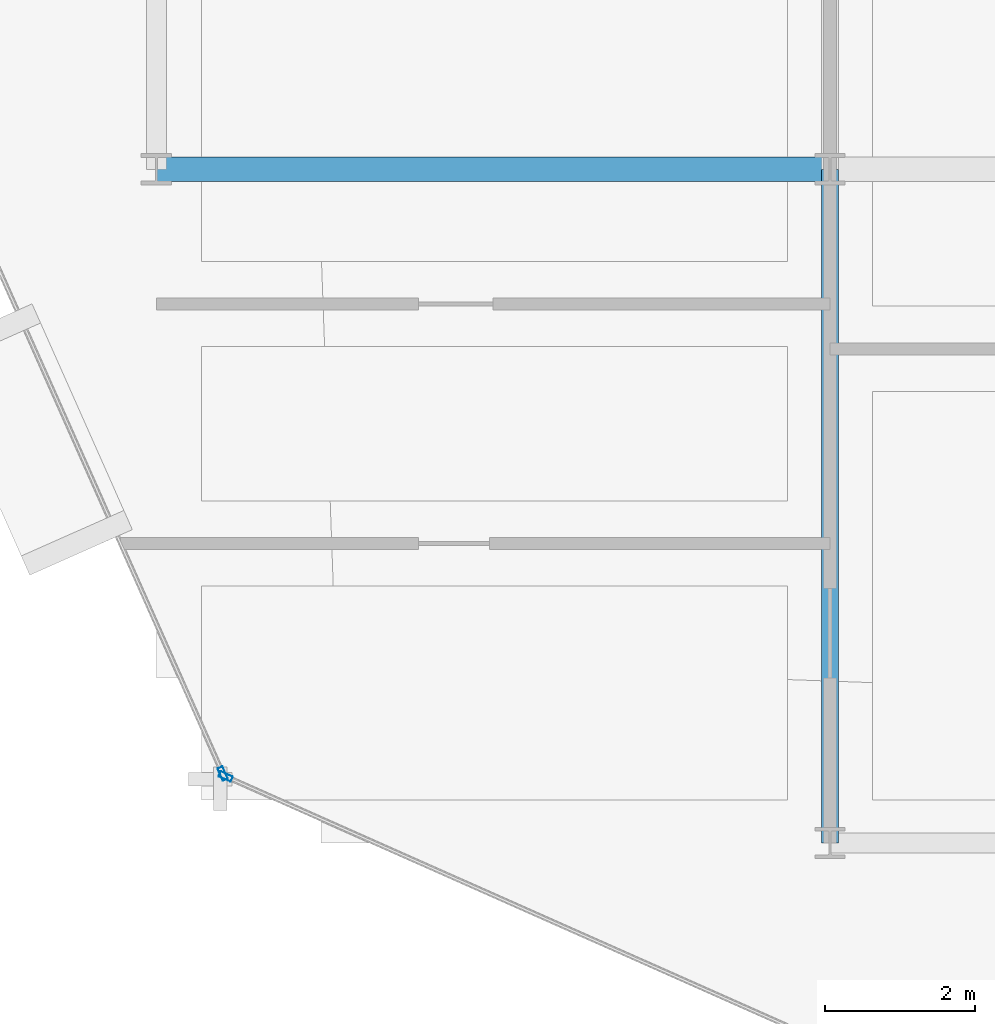
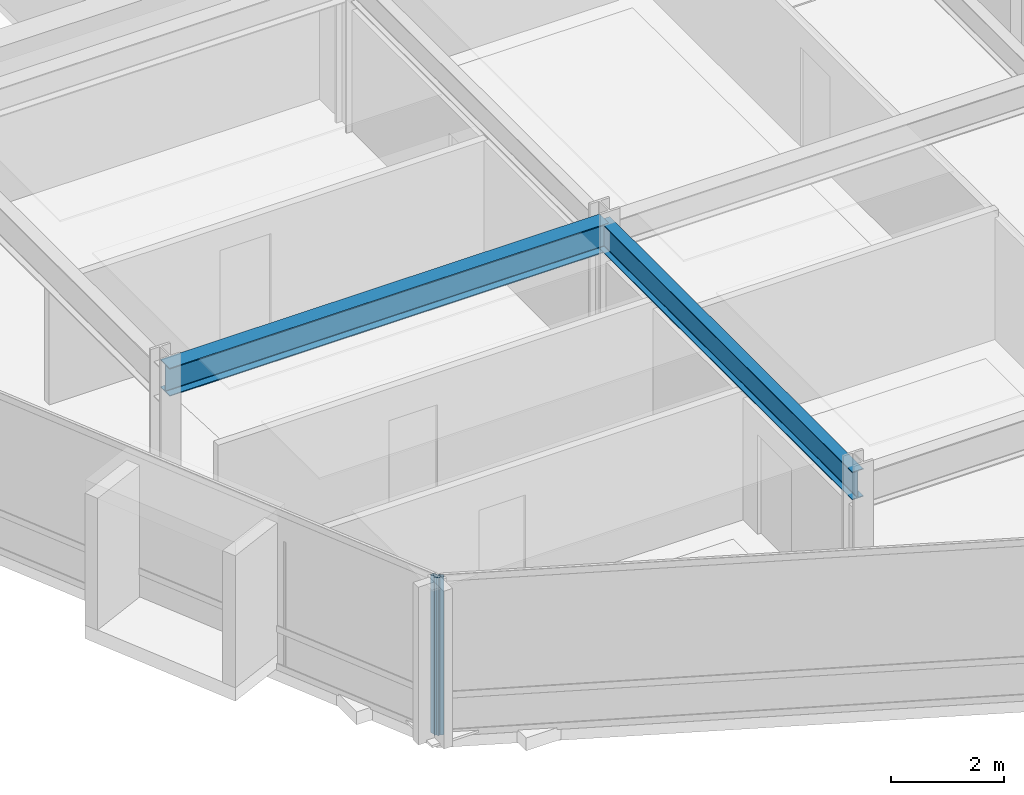
# One storey, part 2 of 27: 2 beams, 2 members, 2 elements without a shape of their own.
"""IFC4 building model written with IfcOpenShell, lengths in metres."""

from ifc_helpers import new_model, si_unit, direction, frame, origin, origin_2d, place, context, subcontext, project, spatial, hollow_rectangle, i_section, extrude, material, layer, layer_set, material_profile, profile_set, type_object, element, aggregate, save


model = new_model("IFC4")

# Units and contexts
model_context = context("Model", 3, precision=1e-05, world=origin(), true_north=direction((0.0, 1.0)))
body_context = subcontext(model_context, "Body", "Model", "MODEL_VIEW")
ifc_project = project(units=[si_unit("LENGTHUNIT", "METRE"), si_unit("AREAUNIT", "SQUARE_METRE"), si_unit("VOLUMEUNIT", "CUBIC_METRE"), si_unit("PLANEANGLEUNIT", "RADIAN"), si_unit("MASSUNIT", "GRAM", prefix="KILO")], contexts=[model_context])

# Site, building, storey
site_placement = place(None, origin())
site = spatial("IfcSite", under=ifc_project, at=site_placement, CompositionType="ELEMENT")
building_placement = place(site_placement, origin())
building = spatial("IfcBuilding", under=site, at=building_placement, Name="Solvaryn Broadcast Tower", CompositionType="ELEMENT")
storey_placement = place(building_placement, frame((0.0, 0.0, 181.60009765625)))
storey = spatial("IfcBuildingStorey", under=building, at=storey_placement, Name="L45", CompositionType="ELEMENT", Elevation=181.60009765625)

# Beams
ifc_material_1 = material(Name="Steel ASTM A992 Grade 50", Category="steel")
ifc_material_profile_1 = material_profile(ifc_material_1, i_section(OverallWidth=0.323974609375, OverallDepth=0.611083984375, WebThickness=0.0126953125, FlangeThickness=0.01904296875, FilletRadius=0.014892578125, at=origin_2d()))
ifc_profile_set_1 = profile_set([ifc_material_profile_1], Name="Steel ASTM A992 Grade 50")
beam_type_1 = type_object("IfcBeamType", Name="BM-B1-W24X104", PredefinedType="BEAM", material=ifc_profile_set_1)
beam_1_placement = place(storey_placement, frame((9.0, 18.0, 3.114501953125), z_axis=(1.0, 0.0, 0.0), x_axis=(0.0, 1.0, 0.0)))
element("IfcBeam", 1, at=beam_1_placement, inside=storey, type_object=beam_type_1, Name="L45 Primary Beam X (9-18 @ Y=18)", PredefinedType="BEAM", context=body_context, shape_type="SweptSolid", body=[
    extrude(i_section(OverallWidth=0.323974609375, OverallDepth=0.611083984375, WebThickness=0.0126953125, FlangeThickness=0.01904296875, FilletRadius=0.014892578125, at=origin_2d()), origin(), (0.0, 0.0, 1.0), 9.0),
])
ifc_material_2 = material(Name="Steel ASTM A992 Grade 50", Category="steel")
ifc_material_profile_2 = material_profile(ifc_material_2, i_section(OverallWidth=0.22802734375, OverallDepth=0.60791015625, WebThickness=0.01123046875, FlangeThickness=0.017333984375, FilletRadius=0.014892578125, at=origin_2d()))
ifc_profile_set_2 = profile_set([ifc_material_profile_2], Name="Steel ASTM A992 Grade 50")
beam_type_2 = type_object("IfcBeamType", Name="BM-B2-W24X76", PredefinedType="BEAM", material=ifc_profile_set_2)
beam_2_placement = place(storey_placement, frame((18.0, 9.0, 3.115966796875), z_axis=(0.0, 1.0, 0.0), x_axis=(-1.0, 0.0, 0.0)))
element("IfcBeam", 2, at=beam_2_placement, inside=storey, type_object=beam_type_2, Name="L45 Primary Beam Y (9-18 @ X=18)", PredefinedType="BEAM", context=body_context, shape_type="SweptSolid", body=[
    extrude(i_section(OverallWidth=0.22802734375, OverallDepth=0.60791015625, WebThickness=0.01123046875, FlangeThickness=0.017333984375, FilletRadius=0.014892578125, at=origin_2d()), origin(), (0.0, 0.0, 1.0), 9.0),
])

# Curtain wall, member
ifc_material_3 = material(Name="Aluminium and Terracotta Unitised Curtain Wall", Category="masonry")
ifc_layer = layer(ifc_material_3, 0.199951171875)
ifc_layer_set = layer_set([ifc_layer], Name="CW-SYS2-LOWMID")
curtain_wall_type = type_object("IfcCurtainWallType", Name="CW-SYS2-LOWMID", PredefinedType="NOTDEFINED", material=ifc_layer_set)
curtain_wall_1_placement = place(storey_placement, origin())
curtain_wall_1 = element("IfcCurtainWall", 3, at=curtain_wall_1_placement, inside=storey, type_object=curtain_wall_type, Name="L45 Curtain Wall DR2", PredefinedType="NOTDEFINED")
ifc_material_4 = material(Name="Anodised Aluminium 6063-T6", Category="aluminium")
ifc_material_profile_3 = material_profile(ifc_material_4, hollow_rectangle(XDim=0.074951171875, YDim=0.179931640625, WallThickness=0.00390625, InnerFilletRadius=0.00390625, OuterFilletRadius=0.008056640625, at=origin_2d()))
ifc_profile_set_3 = profile_set([ifc_material_profile_3], Name="Anodised Aluminium 6063-T6")
member_type = type_object("IfcMemberType", Name="CW-MUL-180", PredefinedType="MULLION", material=ifc_profile_set_3)
member_1_placement = place(storey_placement, frame((9.8857421875, 9.925537109375, 0.0), z_axis=(0.0, 0.0, 1.0), x_axis=(0.913916902365, 0.405901337237, 0.0)))
member_1 = element("IfcMember", 4, at=member_1_placement, type_object=member_type, Name="CWS2 mullion 2", PredefinedType="MULLION", context=body_context, shape_type="SweptSolid", body=[
    extrude(hollow_rectangle(XDim=0.074951171875, YDim=0.179931640625, WallThickness=0.00390625, InnerFilletRadius=0.00390625, OuterFilletRadius=0.008056640625, at=origin_2d()), origin(), (0.0, 0.0, 1.0), 3.419921875),
])
aggregate(curtain_wall_1, [member_1])

curtain_wall_2_placement = place(storey_placement, origin())
curtain_wall_2 = element("IfcCurtainWall", 5, at=curtain_wall_2_placement, inside=storey, type_object=curtain_wall_type, Name="L45 Curtain Wall DR3", PredefinedType="NOTDEFINED")
member_2_placement = place(storey_placement, frame((9.925537109375, 9.8857421875, 0.0), z_axis=(0.0, 0.0, 1.0), x_axis=(0.405901337237, 0.913916902365, 0.0)))
member_2 = element("IfcMember", 6, at=member_2_placement, type_object=member_type, Name="CWS2 mullion 1", PredefinedType="MULLION", context=body_context, shape_type="SweptSolid", body=[
    extrude(hollow_rectangle(XDim=0.074951171875, YDim=0.179931640625, WallThickness=0.00390625, InnerFilletRadius=0.00390625, OuterFilletRadius=0.008056640625, at=origin_2d()), origin(), (0.0, 0.0, 1.0), 3.419921875),
])
aggregate(curtain_wall_2, [member_2])

save(model, "model.ifc")
